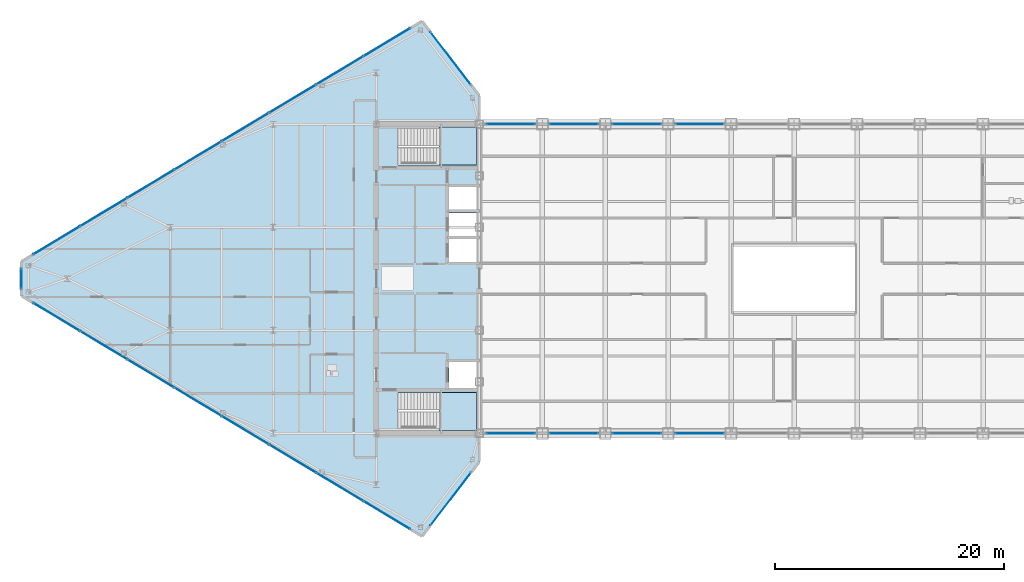
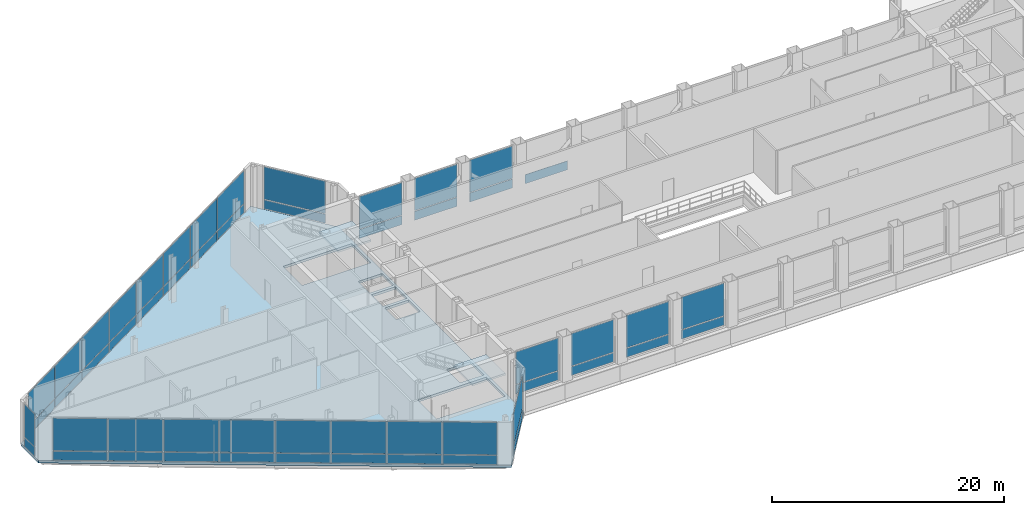
# One storey, part 19 of 30: 53 plates, 3 slabs, 15 elements without a shape of their own.
"""IFC4 building model written with IfcOpenShell, lengths in metres."""

from ifc_helpers import new_model, si_unit, direction, frame, origin, origin_2d, place, context, subcontext, project, spatial, polyline, rectangle, outline, extrude, source, transform, mapped, material, layer, layer_set, type_object, type_shapes, element, aggregate, save


model = new_model("IFC4")

# Units and contexts
model_context = context("Model", 3, precision=1e-05, world=origin(), true_north=direction((0.0, 1.0)))
body_context = subcontext(model_context, "Body", "Model", "MODEL_VIEW")
ifc_project = project(units=[si_unit("LENGTHUNIT", "METRE"), si_unit("AREAUNIT", "SQUARE_METRE"), si_unit("VOLUMEUNIT", "CUBIC_METRE"), si_unit("PLANEANGLEUNIT", "RADIAN"), si_unit("MASSUNIT", "GRAM", prefix="KILO")], contexts=[model_context])

# Site, building, storey
site_placement = place(None, origin())
site = spatial("IfcSite", under=ifc_project, at=site_placement, CompositionType="ELEMENT")
building_placement = place(site_placement, origin())
building = spatial("IfcBuilding", under=site, at=building_placement, Name="Seokmaru Belvedere", CompositionType="ELEMENT")
storey_placement = place(building_placement, frame((0.0, 0.0, 234.60009765625)))
storey = spatial("IfcBuildingStorey", under=building, at=storey_placement, Name="L62", CompositionType="ELEMENT", Elevation=234.60009765625)

# Slab
ifc_material_1 = material(Name="Concrete C50 (50 MPa)", Category="concrete")
ifc_layer_1 = layer(ifc_material_1, 0.260009765625)
ifc_layer_set_1 = layer_set([ifc_layer_1], Name="Concrete C50 (50 MPa)")
slab_type_1 = type_object("IfcSlabType", Name="Refuge and Sky-Gate Heavy Floor Slab 260", PredefinedType="FLOOR", material=ifc_layer_set_1)
slab_1_placement = place(storey_placement, frame((0.0, 0.0, -0.260009765625)))
element("IfcSlab", 1, at=slab_1_placement, inside=storey, type_object=slab_type_1, Name="L62 West Leg Floor Slab", PredefinedType="FLOOR", context=body_context, shape_type="SweptSolid", body=[
    extrude(outline(polyline([(-27.5, -16.0), (-27.5, 16.0), (-32.5, 22.5), (-67.5, 1.5), (-67.5, -1.5), (-32.5, -22.5), (-27.5, -16.0)]), holes=[polyline([(-34.60009765625, -13.25), (-27.75, -13.25), (-27.75, -9.949951171875), (-34.60009765625, -9.949951171875), (-34.60009765625, -13.25)]), polyline([(-34.60009765625, 9.949951171875), (-27.75, 9.949951171875), (-27.75, 13.25), (-34.60009765625, 13.25), (-34.60009765625, 9.949951171875)]), polyline([(-30.14990234375, -9.550048828125), (-27.75, -9.550048828125), (-27.75, -7.25), (-30.14990234375, -7.25), (-30.14990234375, -9.550048828125)]), polyline([(-30.14990234375, 1.449951171875), (-27.75, 1.449951171875), (-27.75, 3.449951171875), (-30.14990234375, 3.449951171875), (-30.14990234375, 1.449951171875)]), polyline([(-30.14990234375, 3.75), (-27.75, 3.75), (-27.75, 5.75), (-30.14990234375, 5.75), (-30.14990234375, 3.75)]), polyline([(-30.14990234375, 6.050048828125), (-27.75, 6.050048828125), (-27.75, 8.050048828125), (-30.14990234375, 8.050048828125), (-30.14990234375, 6.050048828125)])]), origin(), (0.0, 0.0, 1.0), 0.260009765625),
])

# Stair, slab
ifc_material_2 = material(Name="Concrete C40 (40 MPa)", Category="concrete")
stair_type = type_object("IfcStairType", Name="Basement Core Dog-Leg Stair 4800", PredefinedType="TWO_STRAIGHT_RUN_STAIR", material=ifc_material_2)
stair_1_placement = place(storey_placement, origin())
stair_1 = element("IfcStair", 2, at=stair_1_placement, inside=storey, type_object=stair_type, Name="L62 Special Escape Stair ST-W1", PredefinedType="TWO_STRAIGHT_RUN_STAIR")
ifc_layer_2 = layer(ifc_material_2, 0.199951171875)
ifc_layer_set_2 = layer_set([ifc_layer_2], Name="Concrete C40 (40 MPa)")
slab_type_2 = type_object("IfcSlabType", Name="Reinforced Concrete Stair Landing Slab 200", PredefinedType="LANDING", material=ifc_layer_set_2)
slab_2_placement = place(storey_placement, frame((0.0, 0.0, 2.199951171875)))
slab_2 = element("IfcSlab", 3, at=slab_2_placement, type_object=slab_type_2, Name="ST-W1 landing 1", PredefinedType="LANDING", context=body_context, shape_type="SweptSolid", body=[
    extrude(outline(polyline([(-31.0400390625, -13.239990234375), (-27.760009765625, -13.239990234375), (-27.760009765625, -9.949951171875), (-31.0400390625, -9.949951171875), (-31.0400390625, -13.239990234375)])), origin(), (0.0, 0.0, 1.0), 0.199951171875),
])
aggregate(stair_1, [slab_2])

stair_2_placement = place(storey_placement, origin())
stair_2 = element("IfcStair", 4, at=stair_2_placement, inside=storey, type_object=stair_type, Name="L62 Special Escape Stair ST-W2", PredefinedType="TWO_STRAIGHT_RUN_STAIR")
slab_3_placement = place(storey_placement, frame((0.0, 0.0, 2.199951171875)))
slab_3 = element("IfcSlab", 5, at=slab_3_placement, type_object=slab_type_2, Name="ST-W2 landing 1", PredefinedType="LANDING", context=body_context, shape_type="SweptSolid", body=[
    extrude(outline(polyline([(-31.0400390625, 9.949951171875), (-27.760009765625, 9.949951171875), (-27.760009765625, 13.239990234375), (-31.0400390625, 13.239990234375), (-31.0400390625, 9.949951171875)])), origin(), (0.0, 0.0, 1.0), 0.199951171875),
])
aggregate(stair_2, [slab_3])

# Curtain wall, plate
ifc_material_3 = material(Name="Bronze Triple Insulating Glass", Category="glass")
ifc_layer_3 = layer(ifc_material_3, 0.219970703125)
ifc_layer_set_3 = layer_set([ifc_layer_3], Name="Bronze Triple Insulating Glass")
curtain_wall_type = type_object("IfcCurtainWallType", Name="Sky-Gate Bridge Panorama Curtain Wall System CW-6", PredefinedType="NOTDEFINED", material=ifc_layer_set_3)
curtain_wall_1_placement = place(storey_placement, origin())
curtain_wall_1 = element("IfcCurtainWall", 6, at=curtain_wall_1_placement, inside=storey, type_object=curtain_wall_type, Name="L62 Curtain Wall WF2", PredefinedType="NOTDEFINED")
ifc_layer_4 = layer(ifc_material_3, 0.048095703125)
ifc_layer_set_4 = layer_set([ifc_layer_4], Name="Bronze Triple Insulating Glass")
plate_type_1 = type_object("IfcPlateType", Name="Insulated Bronze Spandrel Glazing Panel 48", PredefinedType="CURTAIN_PANEL", material=ifc_layer_set_4)
shared_shape_1 = source(origin(), body_context, "Body", "SweptSolid", [
    extrude(rectangle(XDim=5.740478515625, YDim=0.0419921875, at=origin_2d()), origin(), (0.0, 0.0, 1.0), 0.9375),
])
plate_1_placement = place(storey_placement, frame((-30.0, 19.25, 0.074951171875), z_axis=(0.0, 0.0, 1.0), x_axis=(-0.609701187349, 0.792631353244, 0.0)))
plate_1 = element("IfcPlate", 7, at=plate_1_placement, type_object=plate_type_1, Name="CW:L62:WF2 Glazing Panel 1-1", PredefinedType="CURTAIN_PANEL", context=body_context, shape_type="MappedRepresentation", body=[
    mapped(shared_shape_1, transform((0.0, 0.0, 0.0), scale=1.0)),
])

curtain_wall_2_placement = place(storey_placement, origin())
curtain_wall_2 = element("IfcCurtainWall", 8, at=curtain_wall_2_placement, inside=storey, type_object=curtain_wall_type, Name="L62 Curtain Wall WF6", PredefinedType="NOTDEFINED")
plate_2_placement = place(storey_placement, frame((-30.0, -19.25, 0.074951171875), z_axis=(0.0, 0.0, 1.0), x_axis=(0.609701187349, 0.792631353244, 0.0)))
plate_2 = element("IfcPlate", 9, at=plate_2_placement, type_object=plate_type_1, Name="CW:L62:WF6 Glazing Panel 1-1", PredefinedType="CURTAIN_PANEL", context=body_context, shape_type="MappedRepresentation", body=[
    mapped(shared_shape_1, transform((0.0, 0.0, 0.0), scale=1.0)),
])

# Curtain wall, plates
curtain_wall_3_placement = place(storey_placement, origin())
curtain_wall_3 = element("IfcCurtainWall", 10, at=curtain_wall_3_placement, inside=storey, type_object=curtain_wall_type, Name="L62 Curtain Wall WF3", PredefinedType="NOTDEFINED")
shared_shape_2 = source(origin(), body_context, "Body", "SweptSolid", [
    extrude(rectangle(XDim=4.694580078125, YDim=0.0419921875, at=origin_2d()), origin(), (0.0, 0.0, 1.0), 0.9375),
])
plate_3_placement = place(storey_placement, frame((-35.5673828125, 20.659423828125, 0.074951171875), z_axis=(0.0, 0.0, 1.0), x_axis=(-0.85749343335, -0.514494909364, 0.0)))
plate_3 = element("IfcPlate", 11, at=plate_3_placement, type_object=plate_type_1, Name="CW:L62:WF3 Glazing Panel 1-1", PredefinedType="CURTAIN_PANEL", context=body_context, shape_type="MappedRepresentation", body=[
    mapped(shared_shape_2, transform((0.0, 0.0, 0.0), scale=1.0)),
])
plate_4_placement = place(storey_placement, frame((-64.4326171875, 3.340576171875, 0.074951171875), z_axis=(0.0, 0.0, 1.0), x_axis=(-0.85749343335, -0.514494909364, 0.0)))
plate_4 = element("IfcPlate", 12, at=plate_4_placement, type_object=plate_type_1, Name="CW:L62:WF3 Glazing Panel 8-1", PredefinedType="CURTAIN_PANEL", context=body_context, shape_type="MappedRepresentation", body=[
    mapped(shared_shape_2, transform((0.0, 0.0, 0.0), scale=1.0)),
])

curtain_wall_4_placement = place(storey_placement, origin())
curtain_wall_4 = element("IfcCurtainWall", 13, at=curtain_wall_4_placement, inside=storey, type_object=curtain_wall_type, Name="L62 Curtain Wall WF5", PredefinedType="NOTDEFINED")
plate_5_placement = place(storey_placement, frame((-64.4326171875, -3.340576171875, 0.074951171875), z_axis=(0.0, 0.0, 1.0), x_axis=(0.85749343335, -0.514494909364, 0.0)))
plate_5 = element("IfcPlate", 14, at=plate_5_placement, type_object=plate_type_1, Name="CW:L62:WF5 Glazing Panel 1-1", PredefinedType="CURTAIN_PANEL", context=body_context, shape_type="MappedRepresentation", body=[
    mapped(shared_shape_2, transform((0.0, 0.0, 0.0), scale=1.0)),
])
plate_6_placement = place(storey_placement, frame((-35.5673828125, -20.659423828125, 0.074951171875), z_axis=(0.0, 0.0, 1.0), x_axis=(0.85749343335, -0.514494909364, 0.0)))
plate_6 = element("IfcPlate", 15, at=plate_6_placement, type_object=plate_type_1, Name="CW:L62:WF5 Glazing Panel 8-1", PredefinedType="CURTAIN_PANEL", context=body_context, shape_type="MappedRepresentation", body=[
    mapped(shared_shape_2, transform((0.0, 0.0, 0.0), scale=1.0)),
])

# Plate
shared_shape_3 = source(origin(), body_context, "Body", "SweptSolid", [
    extrude(rectangle(XDim=4.734619140625, YDim=0.0419921875, at=origin_2d()), origin(), (0.0, 0.0, 1.0), 0.9375),
])
plate_7_placement = place(storey_placement, frame((-39.6787109375, 18.192626953125, 0.074951171875), z_axis=(0.0, 0.0, 1.0), x_axis=(-0.85749343335, -0.514494909364, 0.0)))
plate_7 = element("IfcPlate", 16, at=plate_7_placement, type_object=plate_type_1, Name="CW:L62:WF3 Glazing Panel 2-1", PredefinedType="CURTAIN_PANEL", context=body_context, shape_type="MappedRepresentation", body=[
    mapped(shared_shape_3, transform((0.0, 0.0, 0.0), scale=1.0)),
])

plate_8_placement = place(storey_placement, frame((-43.807373046875, 15.715576171875, 0.074951171875), z_axis=(0.0, 0.0, 1.0), x_axis=(-0.85749343335, -0.514494909364, 0.0)))
plate_8 = element("IfcPlate", 17, at=plate_8_placement, type_object=plate_type_1, Name="CW:L62:WF3 Glazing Panel 3-1", PredefinedType="CURTAIN_PANEL", context=body_context, shape_type="MappedRepresentation", body=[
    mapped(shared_shape_3, transform((0.0, 0.0, 0.0), scale=1.0)),
])

plate_9_placement = place(storey_placement, frame((-47.935791015625, 13.238525390625, 0.074951171875), z_axis=(0.0, 0.0, 1.0), x_axis=(-0.85749343335, -0.514494909364, 0.0)))
plate_9 = element("IfcPlate", 18, at=plate_9_placement, type_object=plate_type_1, Name="CW:L62:WF3 Glazing Panel 4-1", PredefinedType="CURTAIN_PANEL", context=body_context, shape_type="MappedRepresentation", body=[
    mapped(shared_shape_3, transform((0.0, 0.0, 0.0), scale=1.0)),
])

plate_10_placement = place(storey_placement, frame((-52.064208984375, 10.761474609375, 0.074951171875), z_axis=(0.0, 0.0, 1.0), x_axis=(-0.85749343335, -0.514494909364, 0.0)))
plate_10 = element("IfcPlate", 19, at=plate_10_placement, type_object=plate_type_1, Name="CW:L62:WF3 Glazing Panel 5-1", PredefinedType="CURTAIN_PANEL", context=body_context, shape_type="MappedRepresentation", body=[
    mapped(shared_shape_3, transform((0.0, 0.0, 0.0), scale=1.0)),
])

plate_11_placement = place(storey_placement, frame((-56.192626953125, 8.284423828125, 0.074951171875), z_axis=(0.0, 0.0, 1.0), x_axis=(-0.85749343335, -0.514494909364, 0.0)))
plate_11 = element("IfcPlate", 20, at=plate_11_placement, type_object=plate_type_1, Name="CW:L62:WF3 Glazing Panel 6-1", PredefinedType="CURTAIN_PANEL", context=body_context, shape_type="MappedRepresentation", body=[
    mapped(shared_shape_3, transform((0.0, 0.0, 0.0), scale=1.0)),
])

plate_12_placement = place(storey_placement, frame((-60.3212890625, 5.807373046875, 0.074951171875), z_axis=(0.0, 0.0, 1.0), x_axis=(-0.85749343335, -0.514494909364, 0.0)))
plate_12 = element("IfcPlate", 21, at=plate_12_placement, type_object=plate_type_1, Name="CW:L62:WF3 Glazing Panel 7-1", PredefinedType="CURTAIN_PANEL", context=body_context, shape_type="MappedRepresentation", body=[
    mapped(shared_shape_3, transform((0.0, 0.0, 0.0), scale=1.0)),
])

plate_13_placement = place(storey_placement, frame((-60.3212890625, -5.807373046875, 0.074951171875), z_axis=(0.0, 0.0, 1.0), x_axis=(0.85749343335, -0.514494909364, 0.0)))
plate_13 = element("IfcPlate", 22, at=plate_13_placement, type_object=plate_type_1, Name="CW:L62:WF5 Glazing Panel 2-1", PredefinedType="CURTAIN_PANEL", context=body_context, shape_type="MappedRepresentation", body=[
    mapped(shared_shape_3, transform((0.0, 0.0, 0.0), scale=1.0)),
])

plate_14_placement = place(storey_placement, frame((-56.192626953125, -8.284423828125, 0.074951171875), z_axis=(0.0, 0.0, 1.0), x_axis=(0.85749343335, -0.514494909364, 0.0)))
plate_14 = element("IfcPlate", 23, at=plate_14_placement, type_object=plate_type_1, Name="CW:L62:WF5 Glazing Panel 3-1", PredefinedType="CURTAIN_PANEL", context=body_context, shape_type="MappedRepresentation", body=[
    mapped(shared_shape_3, transform((0.0, 0.0, 0.0), scale=1.0)),
])

plate_15_placement = place(storey_placement, frame((-52.064208984375, -10.761474609375, 0.074951171875), z_axis=(0.0, 0.0, 1.0), x_axis=(0.85749343335, -0.514494909364, 0.0)))
plate_15 = element("IfcPlate", 24, at=plate_15_placement, type_object=plate_type_1, Name="CW:L62:WF5 Glazing Panel 4-1", PredefinedType="CURTAIN_PANEL", context=body_context, shape_type="MappedRepresentation", body=[
    mapped(shared_shape_3, transform((0.0, 0.0, 0.0), scale=1.0)),
])

plate_16_placement = place(storey_placement, frame((-47.935791015625, -13.238525390625, 0.074951171875), z_axis=(0.0, 0.0, 1.0), x_axis=(0.85749343335, -0.514494909364, 0.0)))
plate_16 = element("IfcPlate", 25, at=plate_16_placement, type_object=plate_type_1, Name="CW:L62:WF5 Glazing Panel 5-1", PredefinedType="CURTAIN_PANEL", context=body_context, shape_type="MappedRepresentation", body=[
    mapped(shared_shape_3, transform((0.0, 0.0, 0.0), scale=1.0)),
])

plate_17_placement = place(storey_placement, frame((-43.807373046875, -15.715576171875, 0.074951171875), z_axis=(0.0, 0.0, 1.0), x_axis=(0.85749343335, -0.514494909364, 0.0)))
plate_17 = element("IfcPlate", 26, at=plate_17_placement, type_object=plate_type_1, Name="CW:L62:WF5 Glazing Panel 6-1", PredefinedType="CURTAIN_PANEL", context=body_context, shape_type="MappedRepresentation", body=[
    mapped(shared_shape_3, transform((0.0, 0.0, 0.0), scale=1.0)),
])

plate_18_placement = place(storey_placement, frame((-39.6787109375, -18.192626953125, 0.074951171875), z_axis=(0.0, 0.0, 1.0), x_axis=(0.85749343335, -0.514494909364, 0.0)))
plate_18 = element("IfcPlate", 27, at=plate_18_placement, type_object=plate_type_1, Name="CW:L62:WF5 Glazing Panel 7-1", PredefinedType="CURTAIN_PANEL", context=body_context, shape_type="MappedRepresentation", body=[
    mapped(shared_shape_3, transform((0.0, 0.0, 0.0), scale=1.0)),
])

# Curtain wall, plate
curtain_wall_5_placement = place(storey_placement, origin())
curtain_wall_5 = element("IfcCurtainWall", 28, at=curtain_wall_5_placement, inside=storey, type_object=curtain_wall_type, Name="L62 Curtain Wall WF4", PredefinedType="NOTDEFINED")
shared_shape_4 = source(origin(), body_context, "Body", "SweptSolid", [
    extrude(rectangle(XDim=1.739990234375, YDim=0.0419921875, at=origin_2d()), origin(), (0.0, 0.0, 1.0), 0.9375),
])
plate_19_placement = place(storey_placement, frame((-67.5, 0.0, 0.074951171875), z_axis=(0.0, 0.0, 1.0), x_axis=(0.0, -1.0, 0.0)))
plate_19 = element("IfcPlate", 29, at=plate_19_placement, type_object=plate_type_1, Name="CW:L62:WF4 Glazing Panel 1-1", PredefinedType="CURTAIN_PANEL", context=body_context, shape_type="MappedRepresentation", body=[
    mapped(shared_shape_4, transform((0.0, 0.0, 0.0), scale=1.0)),
])

curtain_wall_6_placement = place(storey_placement, origin())
curtain_wall_6 = element("IfcCurtainWall", 30, at=curtain_wall_6_placement, inside=storey, type_object=curtain_wall_type, Name="L62 Curtain Wall BR_S01", PredefinedType="NOTDEFINED")
shared_shape_5 = source(origin(), body_context, "Body", "SweptSolid", [
    extrude(rectangle(XDim=4.239990234375, YDim=0.0419921875, at=origin_2d()), origin(), (0.0, 0.0, 1.0), 0.9375),
])
type_shapes(plate_type_1, [shared_shape_1, shared_shape_2, shared_shape_3, shared_shape_4, shared_shape_5])
plate_20_placement = place(storey_placement, frame((-24.75, -13.5, 0.074951171875), z_axis=(0.0, 0.0, 1.0), x_axis=(1.0, 0.0, 0.0)))
plate_20 = element("IfcPlate", 31, at=plate_20_placement, type_object=plate_type_1, Name="CW:L62:BR_S01 Glazing Panel 1-1", PredefinedType="CURTAIN_PANEL", context=body_context, shape_type="MappedRepresentation", body=[
    mapped(shared_shape_5, transform((0.0, 0.0, 0.0), scale=1.0)),
])

curtain_wall_7_placement = place(storey_placement, origin())
curtain_wall_7 = element("IfcCurtainWall", 32, at=curtain_wall_7_placement, inside=storey, type_object=curtain_wall_type, Name="L62 Curtain Wall BR_N01", PredefinedType="NOTDEFINED")
plate_21_placement = place(storey_placement, frame((-24.75, 13.5, 0.074951171875), z_axis=(0.0, 0.0, 1.0), x_axis=(-1.0, 0.0, 0.0)))
plate_21 = element("IfcPlate", 33, at=plate_21_placement, type_object=plate_type_1, Name="CW:L62:BR_N01 Glazing Panel 1-1", PredefinedType="CURTAIN_PANEL", context=body_context, shape_type="MappedRepresentation", body=[
    mapped(shared_shape_5, transform((0.0, 0.0, 0.0), scale=1.0)),
])

curtain_wall_8_placement = place(storey_placement, origin())
curtain_wall_8 = element("IfcCurtainWall", 34, at=curtain_wall_8_placement, inside=storey, type_object=curtain_wall_type, Name="L62 Curtain Wall BR_S02", PredefinedType="NOTDEFINED")
plate_22_placement = place(storey_placement, frame((-19.25, -13.5, 0.074951171875), z_axis=(0.0, 0.0, 1.0), x_axis=(1.0, 0.0, 0.0)))
plate_22 = element("IfcPlate", 35, at=plate_22_placement, type_object=plate_type_1, Name="CW:L62:BR_S02 Glazing Panel 1-1", PredefinedType="CURTAIN_PANEL", context=body_context, shape_type="MappedRepresentation", body=[
    mapped(shared_shape_5, transform((0.0, 0.0, 0.0), scale=1.0)),
])

curtain_wall_9_placement = place(storey_placement, origin())
curtain_wall_9 = element("IfcCurtainWall", 36, at=curtain_wall_9_placement, inside=storey, type_object=curtain_wall_type, Name="L62 Curtain Wall BR_N02", PredefinedType="NOTDEFINED")
plate_23_placement = place(storey_placement, frame((-19.25, 13.5, 0.074951171875), z_axis=(0.0, 0.0, 1.0), x_axis=(-1.0, 0.0, 0.0)))
plate_23 = element("IfcPlate", 37, at=plate_23_placement, type_object=plate_type_1, Name="CW:L62:BR_N02 Glazing Panel 1-1", PredefinedType="CURTAIN_PANEL", context=body_context, shape_type="MappedRepresentation", body=[
    mapped(shared_shape_5, transform((0.0, 0.0, 0.0), scale=1.0)),
])

curtain_wall_10_placement = place(storey_placement, origin())
curtain_wall_10 = element("IfcCurtainWall", 38, at=curtain_wall_10_placement, inside=storey, type_object=curtain_wall_type, Name="L62 Curtain Wall BR_S03", PredefinedType="NOTDEFINED")
plate_24_placement = place(storey_placement, frame((-13.75, -13.5, 0.074951171875), z_axis=(0.0, 0.0, 1.0), x_axis=(1.0, 0.0, 0.0)))
plate_24 = element("IfcPlate", 39, at=plate_24_placement, type_object=plate_type_1, Name="CW:L62:BR_S03 Glazing Panel 1-1", PredefinedType="CURTAIN_PANEL", context=body_context, shape_type="MappedRepresentation", body=[
    mapped(shared_shape_5, transform((0.0, 0.0, 0.0), scale=1.0)),
])

curtain_wall_11_placement = place(storey_placement, origin())
curtain_wall_11 = element("IfcCurtainWall", 40, at=curtain_wall_11_placement, inside=storey, type_object=curtain_wall_type, Name="L62 Curtain Wall BR_N03", PredefinedType="NOTDEFINED")
plate_25_placement = place(storey_placement, frame((-13.75, 13.5, 0.074951171875), z_axis=(0.0, 0.0, 1.0), x_axis=(-1.0, 0.0, 0.0)))
plate_25 = element("IfcPlate", 41, at=plate_25_placement, type_object=plate_type_1, Name="CW:L62:BR_N03 Glazing Panel 1-1", PredefinedType="CURTAIN_PANEL", context=body_context, shape_type="MappedRepresentation", body=[
    mapped(shared_shape_5, transform((0.0, 0.0, 0.0), scale=1.0)),
])

curtain_wall_12_placement = place(storey_placement, origin())
curtain_wall_12 = element("IfcCurtainWall", 42, at=curtain_wall_12_placement, inside=storey, type_object=curtain_wall_type, Name="L62 Curtain Wall BR_S04", PredefinedType="NOTDEFINED")
plate_26_placement = place(storey_placement, frame((-8.25, -13.5, 0.074951171875), z_axis=(0.0, 0.0, 1.0), x_axis=(1.0, 0.0, 0.0)))
plate_26 = element("IfcPlate", 43, at=plate_26_placement, type_object=plate_type_1, Name="CW:L62:BR_S04 Glazing Panel 1-1", PredefinedType="CURTAIN_PANEL", context=body_context, shape_type="MappedRepresentation", body=[
    mapped(shared_shape_5, transform((0.0, 0.0, 0.0), scale=1.0)),
])

curtain_wall_13_placement = place(storey_placement, origin())
curtain_wall_13 = element("IfcCurtainWall", 44, at=curtain_wall_13_placement, inside=storey, type_object=curtain_wall_type, Name="L62 Curtain Wall BR_N04", PredefinedType="NOTDEFINED")
plate_27_placement = place(storey_placement, frame((-8.25, 13.5, 0.074951171875), z_axis=(0.0, 0.0, 1.0), x_axis=(-1.0, 0.0, 0.0)))
plate_27 = element("IfcPlate", 45, at=plate_27_placement, type_object=plate_type_1, Name="CW:L62:BR_N04 Glazing Panel 1-1", PredefinedType="CURTAIN_PANEL", context=body_context, shape_type="MappedRepresentation", body=[
    mapped(shared_shape_5, transform((0.0, 0.0, 0.0), scale=1.0)),
])
aggregate(curtain_wall_13, [plate_27])

# Plate
ifc_layer_5 = layer(ifc_material_3, 0.0419921875)
ifc_layer_set_5 = layer_set([ifc_layer_5], Name="Bronze Triple Insulating Glass")
plate_type_2 = type_object("IfcPlateType", Name="Acoustic Laminated Panorama Glazing Panel 42", PredefinedType="CURTAIN_PANEL", material=ifc_layer_set_5)
shared_shape_6 = source(origin(), body_context, "Body", "SweptSolid", [
    extrude(rectangle(XDim=5.740478515625, YDim=0.0419921875, at=origin_2d()), origin(), (0.0, 0.0, 1.0), 3.41748046875),
])
plate_28_placement = place(storey_placement, frame((-30.0, 19.25, 1.08740234375), z_axis=(0.0, 0.0, 1.0), x_axis=(-0.609701187349, 0.792631353244, 0.0)))
plate_28 = element("IfcPlate", 46, at=plate_28_placement, type_object=plate_type_2, Name="CW:L62:WF2 Glazing Panel 1-2", PredefinedType="CURTAIN_PANEL", context=body_context, shape_type="MappedRepresentation", body=[
    mapped(shared_shape_6, transform((0.0, 0.0, 0.0), scale=1.0)),
])

aggregate(curtain_wall_1, [plate_1, plate_28])

plate_29_placement = place(storey_placement, frame((-30.0, -19.25, 1.08740234375), z_axis=(0.0, 0.0, 1.0), x_axis=(0.609701187349, 0.792631353244, 0.0)))
plate_29 = element("IfcPlate", 47, at=plate_29_placement, type_object=plate_type_2, Name="CW:L62:WF6 Glazing Panel 1-2", PredefinedType="CURTAIN_PANEL", context=body_context, shape_type="MappedRepresentation", body=[
    mapped(shared_shape_6, transform((0.0, 0.0, 0.0), scale=1.0)),
])

aggregate(curtain_wall_2, [plate_2, plate_29])

shared_shape_7 = source(origin(), body_context, "Body", "SweptSolid", [
    extrude(rectangle(XDim=4.694580078125, YDim=0.0419921875, at=origin_2d()), origin(), (0.0, 0.0, 1.0), 3.41748046875),
])
plate_30_placement = place(storey_placement, frame((-35.5673828125, 20.659423828125, 1.08740234375), z_axis=(0.0, 0.0, 1.0), x_axis=(-0.85749343335, -0.514494909364, 0.0)))
plate_30 = element("IfcPlate", 48, at=plate_30_placement, type_object=plate_type_2, Name="CW:L62:WF3 Glazing Panel 1-2", PredefinedType="CURTAIN_PANEL", context=body_context, shape_type="MappedRepresentation", body=[
    mapped(shared_shape_7, transform((0.0, 0.0, 0.0), scale=1.0)),
])

plate_31_placement = place(storey_placement, frame((-64.4326171875, 3.340576171875, 1.08740234375), z_axis=(0.0, 0.0, 1.0), x_axis=(-0.85749343335, -0.514494909364, 0.0)))
plate_31 = element("IfcPlate", 49, at=plate_31_placement, type_object=plate_type_2, Name="CW:L62:WF3 Glazing Panel 8-2", PredefinedType="CURTAIN_PANEL", context=body_context, shape_type="MappedRepresentation", body=[
    mapped(shared_shape_7, transform((0.0, 0.0, 0.0), scale=1.0)),
])

plate_32_placement = place(storey_placement, frame((-64.4326171875, -3.340576171875, 1.08740234375), z_axis=(0.0, 0.0, 1.0), x_axis=(0.85749343335, -0.514494909364, 0.0)))
plate_32 = element("IfcPlate", 50, at=plate_32_placement, type_object=plate_type_2, Name="CW:L62:WF5 Glazing Panel 1-2", PredefinedType="CURTAIN_PANEL", context=body_context, shape_type="MappedRepresentation", body=[
    mapped(shared_shape_7, transform((0.0, 0.0, 0.0), scale=1.0)),
])

plate_33_placement = place(storey_placement, frame((-35.5673828125, -20.659423828125, 1.08740234375), z_axis=(0.0, 0.0, 1.0), x_axis=(0.85749343335, -0.514494909364, 0.0)))
plate_33 = element("IfcPlate", 51, at=plate_33_placement, type_object=plate_type_2, Name="CW:L62:WF5 Glazing Panel 8-2", PredefinedType="CURTAIN_PANEL", context=body_context, shape_type="MappedRepresentation", body=[
    mapped(shared_shape_7, transform((0.0, 0.0, 0.0), scale=1.0)),
])

shared_shape_8 = source(origin(), body_context, "Body", "SweptSolid", [
    extrude(rectangle(XDim=4.734619140625, YDim=0.0419921875, at=origin_2d()), origin(), (0.0, 0.0, 1.0), 3.41748046875),
])
plate_34_placement = place(storey_placement, frame((-39.6787109375, 18.192626953125, 1.08740234375), z_axis=(0.0, 0.0, 1.0), x_axis=(-0.85749343335, -0.514494909364, 0.0)))
plate_34 = element("IfcPlate", 52, at=plate_34_placement, type_object=plate_type_2, Name="CW:L62:WF3 Glazing Panel 2-2", PredefinedType="CURTAIN_PANEL", context=body_context, shape_type="MappedRepresentation", body=[
    mapped(shared_shape_8, transform((0.0, 0.0, 0.0), scale=1.0)),
])

plate_35_placement = place(storey_placement, frame((-43.807373046875, 15.715576171875, 1.08740234375), z_axis=(0.0, 0.0, 1.0), x_axis=(-0.85749343335, -0.514494909364, 0.0)))
plate_35 = element("IfcPlate", 53, at=plate_35_placement, type_object=plate_type_2, Name="CW:L62:WF3 Glazing Panel 3-2", PredefinedType="CURTAIN_PANEL", context=body_context, shape_type="MappedRepresentation", body=[
    mapped(shared_shape_8, transform((0.0, 0.0, 0.0), scale=1.0)),
])

plate_36_placement = place(storey_placement, frame((-47.935791015625, 13.238525390625, 1.08740234375), z_axis=(0.0, 0.0, 1.0), x_axis=(-0.85749343335, -0.514494909364, 0.0)))
plate_36 = element("IfcPlate", 54, at=plate_36_placement, type_object=plate_type_2, Name="CW:L62:WF3 Glazing Panel 4-2", PredefinedType="CURTAIN_PANEL", context=body_context, shape_type="MappedRepresentation", body=[
    mapped(shared_shape_8, transform((0.0, 0.0, 0.0), scale=1.0)),
])

plate_37_placement = place(storey_placement, frame((-52.064208984375, 10.761474609375, 1.08740234375), z_axis=(0.0, 0.0, 1.0), x_axis=(-0.85749343335, -0.514494909364, 0.0)))
plate_37 = element("IfcPlate", 55, at=plate_37_placement, type_object=plate_type_2, Name="CW:L62:WF3 Glazing Panel 5-2", PredefinedType="CURTAIN_PANEL", context=body_context, shape_type="MappedRepresentation", body=[
    mapped(shared_shape_8, transform((0.0, 0.0, 0.0), scale=1.0)),
])

plate_38_placement = place(storey_placement, frame((-56.192626953125, 8.284423828125, 1.08740234375), z_axis=(0.0, 0.0, 1.0), x_axis=(-0.85749343335, -0.514494909364, 0.0)))
plate_38 = element("IfcPlate", 56, at=plate_38_placement, type_object=plate_type_2, Name="CW:L62:WF3 Glazing Panel 6-2", PredefinedType="CURTAIN_PANEL", context=body_context, shape_type="MappedRepresentation", body=[
    mapped(shared_shape_8, transform((0.0, 0.0, 0.0), scale=1.0)),
])

plate_39_placement = place(storey_placement, frame((-60.3212890625, 5.807373046875, 1.08740234375), z_axis=(0.0, 0.0, 1.0), x_axis=(-0.85749343335, -0.514494909364, 0.0)))
plate_39 = element("IfcPlate", 57, at=plate_39_placement, type_object=plate_type_2, Name="CW:L62:WF3 Glazing Panel 7-2", PredefinedType="CURTAIN_PANEL", context=body_context, shape_type="MappedRepresentation", body=[
    mapped(shared_shape_8, transform((0.0, 0.0, 0.0), scale=1.0)),
])

aggregate(curtain_wall_3, [plate_3, plate_30, plate_7, plate_34, plate_8, plate_35, plate_9, plate_36, plate_10, plate_37, plate_11, plate_38, plate_12, plate_39, plate_4, plate_31])

plate_40_placement = place(storey_placement, frame((-60.3212890625, -5.807373046875, 1.08740234375), z_axis=(0.0, 0.0, 1.0), x_axis=(0.85749343335, -0.514494909364, 0.0)))
plate_40 = element("IfcPlate", 58, at=plate_40_placement, type_object=plate_type_2, Name="CW:L62:WF5 Glazing Panel 2-2", PredefinedType="CURTAIN_PANEL", context=body_context, shape_type="MappedRepresentation", body=[
    mapped(shared_shape_8, transform((0.0, 0.0, 0.0), scale=1.0)),
])

plate_41_placement = place(storey_placement, frame((-56.192626953125, -8.284423828125, 1.08740234375), z_axis=(0.0, 0.0, 1.0), x_axis=(0.85749343335, -0.514494909364, 0.0)))
plate_41 = element("IfcPlate", 59, at=plate_41_placement, type_object=plate_type_2, Name="CW:L62:WF5 Glazing Panel 3-2", PredefinedType="CURTAIN_PANEL", context=body_context, shape_type="MappedRepresentation", body=[
    mapped(shared_shape_8, transform((0.0, 0.0, 0.0), scale=1.0)),
])

plate_42_placement = place(storey_placement, frame((-52.064208984375, -10.761474609375, 1.08740234375), z_axis=(0.0, 0.0, 1.0), x_axis=(0.85749343335, -0.514494909364, 0.0)))
plate_42 = element("IfcPlate", 60, at=plate_42_placement, type_object=plate_type_2, Name="CW:L62:WF5 Glazing Panel 4-2", PredefinedType="CURTAIN_PANEL", context=body_context, shape_type="MappedRepresentation", body=[
    mapped(shared_shape_8, transform((0.0, 0.0, 0.0), scale=1.0)),
])

plate_43_placement = place(storey_placement, frame((-47.935791015625, -13.238525390625, 1.08740234375), z_axis=(0.0, 0.0, 1.0), x_axis=(0.85749343335, -0.514494909364, 0.0)))
plate_43 = element("IfcPlate", 61, at=plate_43_placement, type_object=plate_type_2, Name="CW:L62:WF5 Glazing Panel 5-2", PredefinedType="CURTAIN_PANEL", context=body_context, shape_type="MappedRepresentation", body=[
    mapped(shared_shape_8, transform((0.0, 0.0, 0.0), scale=1.0)),
])

plate_44_placement = place(storey_placement, frame((-43.807373046875, -15.715576171875, 1.08740234375), z_axis=(0.0, 0.0, 1.0), x_axis=(0.85749343335, -0.514494909364, 0.0)))
plate_44 = element("IfcPlate", 62, at=plate_44_placement, type_object=plate_type_2, Name="CW:L62:WF5 Glazing Panel 6-2", PredefinedType="CURTAIN_PANEL", context=body_context, shape_type="MappedRepresentation", body=[
    mapped(shared_shape_8, transform((0.0, 0.0, 0.0), scale=1.0)),
])

plate_45_placement = place(storey_placement, frame((-39.6787109375, -18.192626953125, 1.08740234375), z_axis=(0.0, 0.0, 1.0), x_axis=(0.85749343335, -0.514494909364, 0.0)))
plate_45 = element("IfcPlate", 63, at=plate_45_placement, type_object=plate_type_2, Name="CW:L62:WF5 Glazing Panel 7-2", PredefinedType="CURTAIN_PANEL", context=body_context, shape_type="MappedRepresentation", body=[
    mapped(shared_shape_8, transform((0.0, 0.0, 0.0), scale=1.0)),
])

aggregate(curtain_wall_4, [plate_5, plate_32, plate_13, plate_40, plate_14, plate_41, plate_15, plate_42, plate_16, plate_43, plate_17, plate_44, plate_18, plate_45, plate_6, plate_33])

shared_shape_9 = source(origin(), body_context, "Body", "SweptSolid", [
    extrude(rectangle(XDim=1.739990234375, YDim=0.0419921875, at=origin_2d()), origin(), (0.0, 0.0, 1.0), 3.41748046875),
])
plate_46_placement = place(storey_placement, frame((-67.5, 0.0, 1.08740234375), z_axis=(0.0, 0.0, 1.0), x_axis=(0.0, -1.0, 0.0)))
plate_46 = element("IfcPlate", 64, at=plate_46_placement, type_object=plate_type_2, Name="CW:L62:WF4 Glazing Panel 1-2", PredefinedType="CURTAIN_PANEL", context=body_context, shape_type="MappedRepresentation", body=[
    mapped(shared_shape_9, transform((0.0, 0.0, 0.0), scale=1.0)),
])

aggregate(curtain_wall_5, [plate_19, plate_46])

shared_shape_10 = source(origin(), body_context, "Body", "SweptSolid", [
    extrude(rectangle(XDim=4.239990234375, YDim=0.0419921875, at=origin_2d()), origin(), (0.0, 0.0, 1.0), 3.41748046875),
])
type_shapes(plate_type_2, [shared_shape_6, shared_shape_7, shared_shape_8, shared_shape_9, shared_shape_10])
plate_47_placement = place(storey_placement, frame((-24.75, -13.5, 1.08740234375), z_axis=(0.0, 0.0, 1.0), x_axis=(1.0, 0.0, 0.0)))
plate_47 = element("IfcPlate", 65, at=plate_47_placement, type_object=plate_type_2, Name="CW:L62:BR_S01 Glazing Panel 1-2", PredefinedType="CURTAIN_PANEL", context=body_context, shape_type="MappedRepresentation", body=[
    mapped(shared_shape_10, transform((0.0, 0.0, 0.0), scale=1.0)),
])

aggregate(curtain_wall_6, [plate_20, plate_47])

plate_48_placement = place(storey_placement, frame((-24.75, 13.5, 1.08740234375), z_axis=(0.0, 0.0, 1.0), x_axis=(-1.0, 0.0, 0.0)))
plate_48 = element("IfcPlate", 66, at=plate_48_placement, type_object=plate_type_2, Name="CW:L62:BR_N01 Glazing Panel 1-2", PredefinedType="CURTAIN_PANEL", context=body_context, shape_type="MappedRepresentation", body=[
    mapped(shared_shape_10, transform((0.0, 0.0, 0.0), scale=1.0)),
])

aggregate(curtain_wall_7, [plate_21, plate_48])

plate_49_placement = place(storey_placement, frame((-19.25, -13.5, 1.08740234375), z_axis=(0.0, 0.0, 1.0), x_axis=(1.0, 0.0, 0.0)))
plate_49 = element("IfcPlate", 67, at=plate_49_placement, type_object=plate_type_2, Name="CW:L62:BR_S02 Glazing Panel 1-2", PredefinedType="CURTAIN_PANEL", context=body_context, shape_type="MappedRepresentation", body=[
    mapped(shared_shape_10, transform((0.0, 0.0, 0.0), scale=1.0)),
])

aggregate(curtain_wall_8, [plate_22, plate_49])

plate_50_placement = place(storey_placement, frame((-19.25, 13.5, 1.08740234375), z_axis=(0.0, 0.0, 1.0), x_axis=(-1.0, 0.0, 0.0)))
plate_50 = element("IfcPlate", 68, at=plate_50_placement, type_object=plate_type_2, Name="CW:L62:BR_N02 Glazing Panel 1-2", PredefinedType="CURTAIN_PANEL", context=body_context, shape_type="MappedRepresentation", body=[
    mapped(shared_shape_10, transform((0.0, 0.0, 0.0), scale=1.0)),
])

aggregate(curtain_wall_9, [plate_23, plate_50])

plate_51_placement = place(storey_placement, frame((-13.75, -13.5, 1.08740234375), z_axis=(0.0, 0.0, 1.0), x_axis=(1.0, 0.0, 0.0)))
plate_51 = element("IfcPlate", 69, at=plate_51_placement, type_object=plate_type_2, Name="CW:L62:BR_S03 Glazing Panel 1-2", PredefinedType="CURTAIN_PANEL", context=body_context, shape_type="MappedRepresentation", body=[
    mapped(shared_shape_10, transform((0.0, 0.0, 0.0), scale=1.0)),
])

aggregate(curtain_wall_10, [plate_24, plate_51])

plate_52_placement = place(storey_placement, frame((-13.75, 13.5, 1.08740234375), z_axis=(0.0, 0.0, 1.0), x_axis=(-1.0, 0.0, 0.0)))
plate_52 = element("IfcPlate", 70, at=plate_52_placement, type_object=plate_type_2, Name="CW:L62:BR_N03 Glazing Panel 1-2", PredefinedType="CURTAIN_PANEL", context=body_context, shape_type="MappedRepresentation", body=[
    mapped(shared_shape_10, transform((0.0, 0.0, 0.0), scale=1.0)),
])

aggregate(curtain_wall_11, [plate_25, plate_52])

plate_53_placement = place(storey_placement, frame((-8.25, -13.5, 1.08740234375), z_axis=(0.0, 0.0, 1.0), x_axis=(1.0, 0.0, 0.0)))
plate_53 = element("IfcPlate", 71, at=plate_53_placement, type_object=plate_type_2, Name="CW:L62:BR_S04 Glazing Panel 1-2", PredefinedType="CURTAIN_PANEL", context=body_context, shape_type="MappedRepresentation", body=[
    mapped(shared_shape_10, transform((0.0, 0.0, 0.0), scale=1.0)),
])

aggregate(curtain_wall_12, [plate_26, plate_53])

save(model, "model.ifc")
